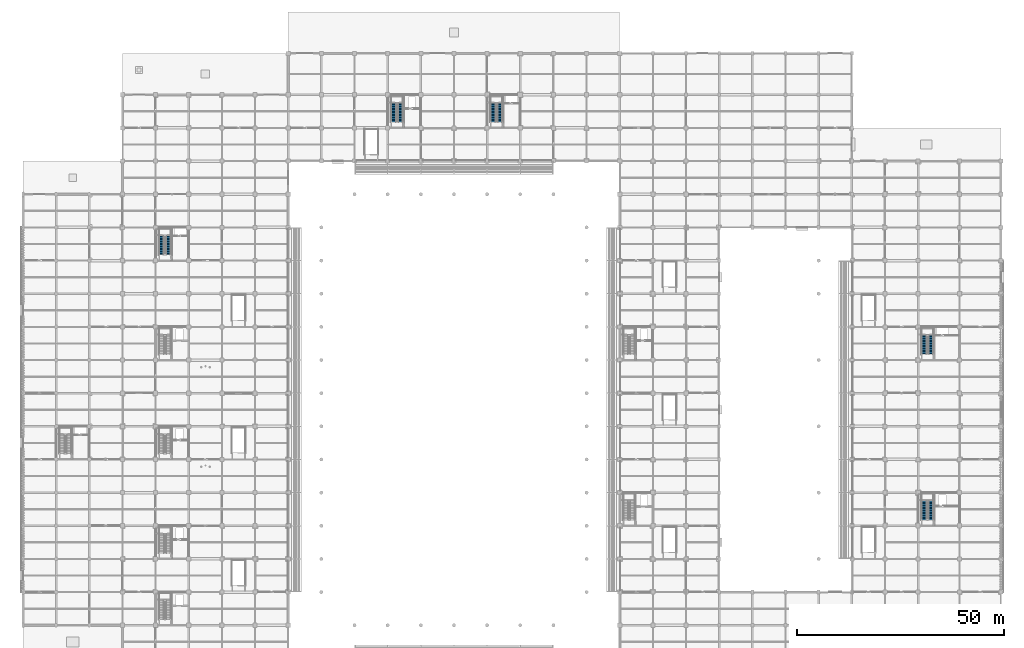
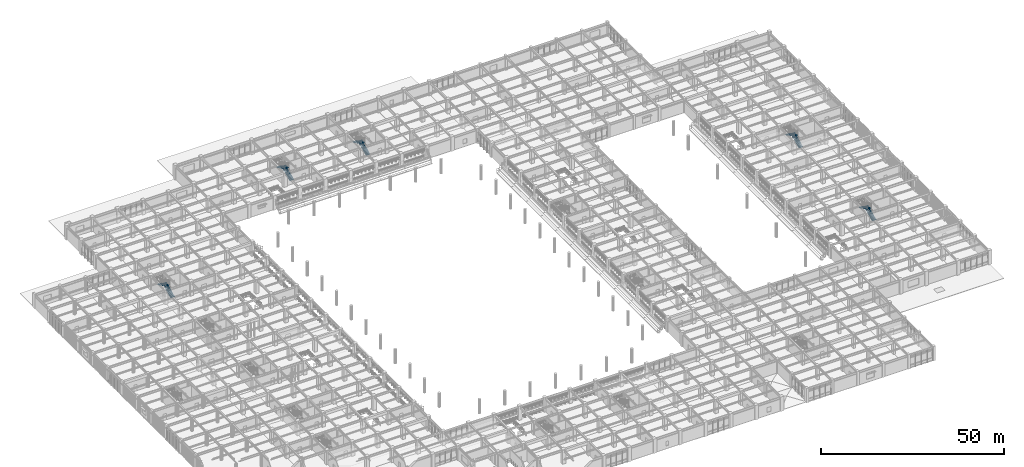
# One storey, part 87 of 117: 10 stair flights, 5 elements without a shape of their own.
"""IFC4 building model written with IfcOpenShell, lengths in metres."""

from ifc_helpers import new_model, si_unit, direction, frame, origin, place, context, subcontext, project, spatial, polyline, outline, extrude, material, type_object, element, aggregate, save


model = new_model("IFC4")

# Units and contexts
model_context = context("Model", 3, precision=1e-05, world=origin(), true_north=direction((0.0, 1.0)))
body_context = subcontext(model_context, "Body", "Model", "MODEL_VIEW")
ifc_project = project(units=[si_unit("LENGTHUNIT", "METRE"), si_unit("AREAUNIT", "SQUARE_METRE"), si_unit("VOLUMEUNIT", "CUBIC_METRE"), si_unit("PLANEANGLEUNIT", "RADIAN"), si_unit("MASSUNIT", "GRAM", prefix="KILO")], contexts=[model_context])

# Site, building, storey
site_placement = place(None, origin())
site = spatial("IfcSite", under=ifc_project, at=site_placement, CompositionType="ELEMENT")
building_placement = place(site_placement, origin())
building = spatial("IfcBuilding", under=site, at=building_placement, Name="Haebicheon Civic Stadium", CompositionType="ELEMENT")
storey_placement = place(building_placement, frame((0.0, 0.0, 4.800048828125)))
storey = spatial("IfcBuildingStorey", under=building, at=storey_placement, Name="L02", CompositionType="ELEMENT", Elevation=4.800048828125)

# Stair, stair flights
ifc_material_1 = material(Name="Concrete C40/50", Category="concrete")
stair_type_1 = type_object("IfcStairType", Name="STR-DL-W126-H48", PredefinedType="HALF_TURN_STAIR", material=ifc_material_1)
stair_1_placement = place(storey_placement, origin())
stair_1 = element("IfcStair", 1, at=stair_1_placement, inside=storey, type_object=stair_type_1, material=ifc_material_1, Name="L02 Escape stair ST-05", PredefinedType="HALF_TURN_STAIR")
ifc_material_2 = material(Name="Concrete C40/50", Category="concrete")
stair_flight_type_1 = type_object("IfcStairFlightType", Name="STF-DL-W126-H48", PredefinedType="STRAIGHT", material=ifc_material_2)
stair_flight_1_placement = place(storey_placement, frame((35.110107421875, 129.449951171875, 0.0), z_axis=(0.0, 0.0, 1.0), x_axis=(0.0, 1.0, 0.0)))
stair_flight_1 = element("IfcStairFlight", 2, at=stair_flight_1_placement, type_object=stair_flight_type_1, material=ifc_material_2, Name="ST-05 flight 1", NumberOfRisers=16, NumberOfTreads=15, PredefinedType="STRAIGHT", RiserHeight=0.15, TreadLength=0.3, context=body_context, shape_type="SweptSolid", body=[
    extrude(outline(polyline([(0.0, 0.0), (0.0, 0.14990234375), (0.300048828125, 0.14990234375), (0.300048828125, 0.300048828125), (0.60009765625, 0.300048828125), (0.60009765625, 0.449951171875), (0.89990234375, 0.449951171875), (0.89990234375, 0.60009765625), (1.199951171875, 0.60009765625), (1.199951171875, 0.75), (1.5, 0.75), (1.5, 0.89990234375), (1.800048828125, 0.89990234375), (1.800048828125, 1.050048828125), (2.10009765625, 1.050048828125), (2.10009765625, 1.199951171875), (2.39990234375, 1.199951171875), (2.39990234375, 1.35009765625), (2.699951171875, 1.35009765625), (2.699951171875, 1.5), (3.0, 1.5), (3.0, 1.64990234375), (3.300048828125, 1.64990234375), (3.300048828125, 1.800048828125), (3.60009765625, 1.800048828125), (3.60009765625, 1.949951171875), (3.89990234375, 1.949951171875), (3.89990234375, 2.10009765625), (4.199951171875, 2.10009765625), (4.199951171875, 2.25), (4.5, 2.25), (4.5, 2.39990234375), (4.5, 2.0712890625), (0.357666015625, 0.0), (0.0, 0.0)])), frame((0.0, 0.6298828125, 0.0), z_axis=(0.0, -1.0, 0.0), x_axis=(1.0, 0.0, 0.0)), (0.0, 0.0, 1.0), 1.260009765625),
])
stair_flight_2_placement = place(storey_placement, frame((33.469970703125, 133.949951171875, 2.39990234375), z_axis=(0.0, 0.0, 1.0), x_axis=(0.0, -1.0, 0.0)))
stair_flight_2 = element("IfcStairFlight", 3, at=stair_flight_2_placement, type_object=stair_flight_type_1, material=ifc_material_2, Name="ST-05 flight 2", NumberOfRisers=16, NumberOfTreads=15, PredefinedType="STRAIGHT", RiserHeight=0.15, TreadLength=0.3, context=body_context, shape_type="SweptSolid", body=[
    extrude(outline(polyline([(0.0, 0.0), (0.0, 0.14990234375), (0.300048828125, 0.14990234375), (0.300048828125, 0.300048828125), (0.60009765625, 0.300048828125), (0.60009765625, 0.449951171875), (0.89990234375, 0.449951171875), (0.89990234375, 0.60009765625), (1.199951171875, 0.60009765625), (1.199951171875, 0.75), (1.5, 0.75), (1.5, 0.89990234375), (1.800048828125, 0.89990234375), (1.800048828125, 1.050048828125), (2.10009765625, 1.050048828125), (2.10009765625, 1.199951171875), (2.39990234375, 1.199951171875), (2.39990234375, 1.35009765625), (2.699951171875, 1.35009765625), (2.699951171875, 1.5), (3.0, 1.5), (3.0, 1.64990234375), (3.300048828125, 1.64990234375), (3.300048828125, 1.800048828125), (3.60009765625, 1.800048828125), (3.60009765625, 1.949951171875), (3.89990234375, 1.949951171875), (3.89990234375, 2.10009765625), (4.199951171875, 2.10009765625), (4.199951171875, 2.25), (4.5, 2.25), (4.5, 2.39990234375), (4.5, 2.0712890625), (0.357666015625, 0.0), (0.0, 0.0)])), frame((0.0, 0.6298828125, 0.0), z_axis=(0.0, -1.0, 0.0), x_axis=(1.0, 0.0, 0.0)), (0.0, 0.0, 1.0), 1.260009765625),
])
aggregate(stair_1, [stair_flight_1, stair_flight_2])

stair_2_placement = place(storey_placement, origin())
stair_2 = element("IfcStair", 4, at=stair_2_placement, inside=storey, type_object=stair_type_1, material=ifc_material_1, Name="L02 Escape stair ST-09", PredefinedType="HALF_TURN_STAIR")
stair_flight_3_placement = place(storey_placement, frame((115.110107421875, 161.449951171875, 0.0), z_axis=(0.0, 0.0, 1.0), x_axis=(0.0, 1.0, 0.0)))
stair_flight_3 = element("IfcStairFlight", 5, at=stair_flight_3_placement, type_object=stair_flight_type_1, material=ifc_material_2, Name="ST-09 flight 1", NumberOfRisers=16, NumberOfTreads=15, PredefinedType="STRAIGHT", RiserHeight=0.15, TreadLength=0.3, context=body_context, shape_type="SweptSolid", body=[
    extrude(outline(polyline([(0.0, 0.0), (0.0, 0.14990234375), (0.300048828125, 0.14990234375), (0.300048828125, 0.300048828125), (0.60009765625, 0.300048828125), (0.60009765625, 0.449951171875), (0.89990234375, 0.449951171875), (0.89990234375, 0.60009765625), (1.199951171875, 0.60009765625), (1.199951171875, 0.75), (1.5, 0.75), (1.5, 0.89990234375), (1.800048828125, 0.89990234375), (1.800048828125, 1.050048828125), (2.10009765625, 1.050048828125), (2.10009765625, 1.199951171875), (2.39990234375, 1.199951171875), (2.39990234375, 1.35009765625), (2.699951171875, 1.35009765625), (2.699951171875, 1.5), (3.0, 1.5), (3.0, 1.64990234375), (3.300048828125, 1.64990234375), (3.300048828125, 1.800048828125), (3.60009765625, 1.800048828125), (3.60009765625, 1.949951171875), (3.89990234375, 1.949951171875), (3.89990234375, 2.10009765625), (4.199951171875, 2.10009765625), (4.199951171875, 2.25), (4.5, 2.25), (4.5, 2.39990234375), (4.5, 2.0712890625), (0.357666015625, 0.0), (0.0, 0.0)])), frame((0.0, 0.6298828125, 0.0), z_axis=(0.0, -1.0, 0.0), x_axis=(1.0, 0.0, 0.0)), (0.0, 0.0, 1.0), 1.260009765625),
])
stair_flight_4_placement = place(storey_placement, frame((113.469970703125, 165.949951171875, 2.39990234375), z_axis=(0.0, 0.0, 1.0), x_axis=(0.0, -1.0, 0.0)))
stair_flight_4 = element("IfcStairFlight", 6, at=stair_flight_4_placement, type_object=stair_flight_type_1, material=ifc_material_2, Name="ST-09 flight 2", NumberOfRisers=16, NumberOfTreads=15, PredefinedType="STRAIGHT", RiserHeight=0.15, TreadLength=0.3, context=body_context, shape_type="SweptSolid", body=[
    extrude(outline(polyline([(0.0, 0.0), (0.0, 0.14990234375), (0.300048828125, 0.14990234375), (0.300048828125, 0.300048828125), (0.60009765625, 0.300048828125), (0.60009765625, 0.449951171875), (0.89990234375, 0.449951171875), (0.89990234375, 0.60009765625), (1.199951171875, 0.60009765625), (1.199951171875, 0.75), (1.5, 0.75), (1.5, 0.89990234375), (1.800048828125, 0.89990234375), (1.800048828125, 1.050048828125), (2.10009765625, 1.050048828125), (2.10009765625, 1.199951171875), (2.39990234375, 1.199951171875), (2.39990234375, 1.35009765625), (2.699951171875, 1.35009765625), (2.699951171875, 1.5), (3.0, 1.5), (3.0, 1.64990234375), (3.300048828125, 1.64990234375), (3.300048828125, 1.800048828125), (3.60009765625, 1.800048828125), (3.60009765625, 1.949951171875), (3.89990234375, 1.949951171875), (3.89990234375, 2.10009765625), (4.199951171875, 2.10009765625), (4.199951171875, 2.25), (4.5, 2.25), (4.5, 2.39990234375), (4.5, 2.0712890625), (0.357666015625, 0.0), (0.0, 0.0)])), frame((0.0, 0.6298828125, 0.0), z_axis=(0.0, -1.0, 0.0), x_axis=(1.0, 0.0, 0.0)), (0.0, 0.0, 1.0), 1.260009765625),
])
aggregate(stair_2, [stair_flight_3, stair_flight_4])

stair_3_placement = place(storey_placement, origin())
stair_3 = element("IfcStair", 7, at=stair_3_placement, inside=storey, type_object=stair_type_1, material=ifc_material_1, Name="L02 Escape stair ST-13", PredefinedType="HALF_TURN_STAIR")
stair_flight_5_placement = place(storey_placement, frame((219.110107421875, 105.449951171875, 0.0), z_axis=(0.0, 0.0, 1.0), x_axis=(0.0, 1.0, 0.0)))
stair_flight_5 = element("IfcStairFlight", 8, at=stair_flight_5_placement, type_object=stair_flight_type_1, material=ifc_material_2, Name="ST-13 flight 1", NumberOfRisers=16, NumberOfTreads=15, PredefinedType="STRAIGHT", RiserHeight=0.15, TreadLength=0.3, context=body_context, shape_type="SweptSolid", body=[
    extrude(outline(polyline([(0.0, 0.0), (0.0, 0.14990234375), (0.300048828125, 0.14990234375), (0.300048828125, 0.300048828125), (0.60009765625, 0.300048828125), (0.60009765625, 0.449951171875), (0.89990234375, 0.449951171875), (0.89990234375, 0.60009765625), (1.199951171875, 0.60009765625), (1.199951171875, 0.75), (1.5, 0.75), (1.5, 0.89990234375), (1.800048828125, 0.89990234375), (1.800048828125, 1.050048828125), (2.10009765625, 1.050048828125), (2.10009765625, 1.199951171875), (2.39990234375, 1.199951171875), (2.39990234375, 1.35009765625), (2.699951171875, 1.35009765625), (2.699951171875, 1.5), (3.0, 1.5), (3.0, 1.64990234375), (3.300048828125, 1.64990234375), (3.300048828125, 1.800048828125), (3.60009765625, 1.800048828125), (3.60009765625, 1.949951171875), (3.89990234375, 1.949951171875), (3.89990234375, 2.10009765625), (4.199951171875, 2.10009765625), (4.199951171875, 2.25), (4.5, 2.25), (4.5, 2.39990234375), (4.5, 2.0712890625), (0.357666015625, 0.0), (0.0, 0.0)])), frame((0.0, 0.6298828125, 0.0), z_axis=(0.0, -1.0, 0.0), x_axis=(1.0, 0.0, 0.0)), (0.0, 0.0, 1.0), 1.260009765625),
])
stair_flight_6_placement = place(storey_placement, frame((217.469970703125, 109.949951171875, 2.39990234375), z_axis=(0.0, 0.0, 1.0), x_axis=(0.0, -1.0, 0.0)))
stair_flight_6 = element("IfcStairFlight", 9, at=stair_flight_6_placement, type_object=stair_flight_type_1, material=ifc_material_2, Name="ST-13 flight 2", NumberOfRisers=16, NumberOfTreads=15, PredefinedType="STRAIGHT", RiserHeight=0.15, TreadLength=0.3, context=body_context, shape_type="SweptSolid", body=[
    extrude(outline(polyline([(0.0, 0.0), (0.0, 0.14990234375), (0.300048828125, 0.14990234375), (0.300048828125, 0.300048828125), (0.60009765625, 0.300048828125), (0.60009765625, 0.449951171875), (0.89990234375, 0.449951171875), (0.89990234375, 0.60009765625), (1.199951171875, 0.60009765625), (1.199951171875, 0.75), (1.5, 0.75), (1.5, 0.89990234375), (1.800048828125, 0.89990234375), (1.800048828125, 1.050048828125), (2.10009765625, 1.050048828125), (2.10009765625, 1.199951171875), (2.39990234375, 1.199951171875), (2.39990234375, 1.35009765625), (2.699951171875, 1.35009765625), (2.699951171875, 1.5), (3.0, 1.5), (3.0, 1.64990234375), (3.300048828125, 1.64990234375), (3.300048828125, 1.800048828125), (3.60009765625, 1.800048828125), (3.60009765625, 1.949951171875), (3.89990234375, 1.949951171875), (3.89990234375, 2.10009765625), (4.199951171875, 2.10009765625), (4.199951171875, 2.25), (4.5, 2.25), (4.5, 2.39990234375), (4.5, 2.0712890625), (0.357666015625, 0.0), (0.0, 0.0)])), frame((0.0, 0.6298828125, 0.0), z_axis=(0.0, -1.0, 0.0), x_axis=(1.0, 0.0, 0.0)), (0.0, 0.0, 1.0), 1.260009765625),
])
aggregate(stair_3, [stair_flight_5, stair_flight_6])

ifc_material_3 = material(Name="Concrete C40/50", Category="concrete")
stair_type_2 = type_object("IfcStairType", Name="STR-DL-W128-H48", PredefinedType="HALF_TURN_STAIR", material=ifc_material_3)
stair_4_placement = place(storey_placement, origin())
stair_4 = element("IfcStair", 10, at=stair_4_placement, inside=storey, type_object=stair_type_2, material=ifc_material_3, Name="L02 Escape stair ST-08", PredefinedType="HALF_TURN_STAIR")
ifc_material_4 = material(Name="Concrete C40/50", Category="concrete")
stair_flight_type_2 = type_object("IfcStairFlightType", Name="STF-DL-W128-H48", PredefinedType="STRAIGHT", material=ifc_material_4)
stair_flight_7_placement = place(storey_placement, frame((91.10009765625, 161.449951171875, 0.0), z_axis=(0.0, 0.0, 1.0), x_axis=(0.0, 1.0, 0.0)))
stair_flight_7 = element("IfcStairFlight", 11, at=stair_flight_7_placement, type_object=stair_flight_type_2, material=ifc_material_4, Name="ST-08 flight 1", NumberOfRisers=16, NumberOfTreads=15, PredefinedType="STRAIGHT", RiserHeight=0.15, TreadLength=0.3, context=body_context, shape_type="SweptSolid", body=[
    extrude(outline(polyline([(0.0, 0.0), (0.0, 0.14990234375), (0.300048828125, 0.14990234375), (0.300048828125, 0.300048828125), (0.60009765625, 0.300048828125), (0.60009765625, 0.449951171875), (0.89990234375, 0.449951171875), (0.89990234375, 0.60009765625), (1.199951171875, 0.60009765625), (1.199951171875, 0.75), (1.5, 0.75), (1.5, 0.89990234375), (1.800048828125, 0.89990234375), (1.800048828125, 1.050048828125), (2.10009765625, 1.050048828125), (2.10009765625, 1.199951171875), (2.39990234375, 1.199951171875), (2.39990234375, 1.35009765625), (2.699951171875, 1.35009765625), (2.699951171875, 1.5), (3.0, 1.5), (3.0, 1.64990234375), (3.300048828125, 1.64990234375), (3.300048828125, 1.800048828125), (3.60009765625, 1.800048828125), (3.60009765625, 1.949951171875), (3.89990234375, 1.949951171875), (3.89990234375, 2.10009765625), (4.199951171875, 2.10009765625), (4.199951171875, 2.25), (4.5, 2.25), (4.5, 2.39990234375), (4.5, 2.0712890625), (0.357666015625, 0.0), (0.0, 0.0)])), frame((0.0, 0.64013671875, 0.0), z_axis=(0.0, -1.0, 0.0), x_axis=(1.0, 0.0, 0.0)), (0.0, 0.0, 1.0), 1.280029296875),
])
stair_flight_8_placement = place(storey_placement, frame((89.47998046875, 165.949951171875, 2.39990234375), z_axis=(0.0, 0.0, 1.0), x_axis=(0.0, -1.0, 0.0)))
stair_flight_8 = element("IfcStairFlight", 12, at=stair_flight_8_placement, type_object=stair_flight_type_2, material=ifc_material_4, Name="ST-08 flight 2", NumberOfRisers=16, NumberOfTreads=15, PredefinedType="STRAIGHT", RiserHeight=0.15, TreadLength=0.3, context=body_context, shape_type="SweptSolid", body=[
    extrude(outline(polyline([(0.0, 0.0), (0.0, 0.14990234375), (0.300048828125, 0.14990234375), (0.300048828125, 0.300048828125), (0.60009765625, 0.300048828125), (0.60009765625, 0.449951171875), (0.89990234375, 0.449951171875), (0.89990234375, 0.60009765625), (1.199951171875, 0.60009765625), (1.199951171875, 0.75), (1.5, 0.75), (1.5, 0.89990234375), (1.800048828125, 0.89990234375), (1.800048828125, 1.050048828125), (2.10009765625, 1.050048828125), (2.10009765625, 1.199951171875), (2.39990234375, 1.199951171875), (2.39990234375, 1.35009765625), (2.699951171875, 1.35009765625), (2.699951171875, 1.5), (3.0, 1.5), (3.0, 1.64990234375), (3.300048828125, 1.64990234375), (3.300048828125, 1.800048828125), (3.60009765625, 1.800048828125), (3.60009765625, 1.949951171875), (3.89990234375, 1.949951171875), (3.89990234375, 2.10009765625), (4.199951171875, 2.10009765625), (4.199951171875, 2.25), (4.5, 2.25), (4.5, 2.39990234375), (4.5, 2.0712890625), (0.357666015625, 0.0), (0.0, 0.0)])), frame((0.0, 0.64013671875, 0.0), z_axis=(0.0, -1.0, 0.0), x_axis=(1.0, 0.0, 0.0)), (0.0, 0.0, 1.0), 1.280029296875),
])
aggregate(stair_4, [stair_flight_7, stair_flight_8])

stair_5_placement = place(storey_placement, origin())
stair_5 = element("IfcStair", 13, at=stair_5_placement, inside=storey, type_object=stair_type_2, material=ifc_material_3, Name="L02 Escape stair ST-12", PredefinedType="HALF_TURN_STAIR")
stair_flight_9_placement = place(storey_placement, frame((219.10009765625, 65.449951171875, 0.0), z_axis=(0.0, 0.0, 1.0), x_axis=(0.0, 1.0, 0.0)))
stair_flight_9 = element("IfcStairFlight", 14, at=stair_flight_9_placement, type_object=stair_flight_type_2, material=ifc_material_4, Name="ST-12 flight 1", NumberOfRisers=16, NumberOfTreads=15, PredefinedType="STRAIGHT", RiserHeight=0.15, TreadLength=0.3, context=body_context, shape_type="SweptSolid", body=[
    extrude(outline(polyline([(0.0, 0.0), (0.0, 0.14990234375), (0.300048828125, 0.14990234375), (0.300048828125, 0.300048828125), (0.60009765625, 0.300048828125), (0.60009765625, 0.449951171875), (0.89990234375, 0.449951171875), (0.89990234375, 0.60009765625), (1.199951171875, 0.60009765625), (1.199951171875, 0.75), (1.5, 0.75), (1.5, 0.89990234375), (1.800048828125, 0.89990234375), (1.800048828125, 1.050048828125), (2.10009765625, 1.050048828125), (2.10009765625, 1.199951171875), (2.39990234375, 1.199951171875), (2.39990234375, 1.35009765625), (2.699951171875, 1.35009765625), (2.699951171875, 1.5), (3.0, 1.5), (3.0, 1.64990234375), (3.300048828125, 1.64990234375), (3.300048828125, 1.800048828125), (3.60009765625, 1.800048828125), (3.60009765625, 1.949951171875), (3.89990234375, 1.949951171875), (3.89990234375, 2.10009765625), (4.199951171875, 2.10009765625), (4.199951171875, 2.25), (4.5, 2.25), (4.5, 2.39990234375), (4.5, 2.0712890625), (0.357666015625, 0.0), (0.0, 0.0)])), frame((0.0, 0.64013671875, 0.0), z_axis=(0.0, -1.0, 0.0), x_axis=(1.0, 0.0, 0.0)), (0.0, 0.0, 1.0), 1.280029296875),
])
stair_flight_10_placement = place(storey_placement, frame((217.47998046875, 69.949951171875, 2.39990234375), z_axis=(0.0, 0.0, 1.0), x_axis=(0.0, -1.0, 0.0)))
stair_flight_10 = element("IfcStairFlight", 15, at=stair_flight_10_placement, type_object=stair_flight_type_2, material=ifc_material_4, Name="ST-12 flight 2", NumberOfRisers=16, NumberOfTreads=15, PredefinedType="STRAIGHT", RiserHeight=0.15, TreadLength=0.3, context=body_context, shape_type="SweptSolid", body=[
    extrude(outline(polyline([(0.0, 0.0), (0.0, 0.14990234375), (0.300048828125, 0.14990234375), (0.300048828125, 0.300048828125), (0.60009765625, 0.300048828125), (0.60009765625, 0.449951171875), (0.89990234375, 0.449951171875), (0.89990234375, 0.60009765625), (1.199951171875, 0.60009765625), (1.199951171875, 0.75), (1.5, 0.75), (1.5, 0.89990234375), (1.800048828125, 0.89990234375), (1.800048828125, 1.050048828125), (2.10009765625, 1.050048828125), (2.10009765625, 1.199951171875), (2.39990234375, 1.199951171875), (2.39990234375, 1.35009765625), (2.699951171875, 1.35009765625), (2.699951171875, 1.5), (3.0, 1.5), (3.0, 1.64990234375), (3.300048828125, 1.64990234375), (3.300048828125, 1.800048828125), (3.60009765625, 1.800048828125), (3.60009765625, 1.949951171875), (3.89990234375, 1.949951171875), (3.89990234375, 2.10009765625), (4.199951171875, 2.10009765625), (4.199951171875, 2.25), (4.5, 2.25), (4.5, 2.39990234375), (4.5, 2.0712890625), (0.357666015625, 0.0), (0.0, 0.0)])), frame((0.0, 0.64013671875, 0.0), z_axis=(0.0, -1.0, 0.0), x_axis=(1.0, 0.0, 0.0)), (0.0, 0.0, 1.0), 1.280029296875),
])
aggregate(stair_5, [stair_flight_9, stair_flight_10])

save(model, "model.ifc")
